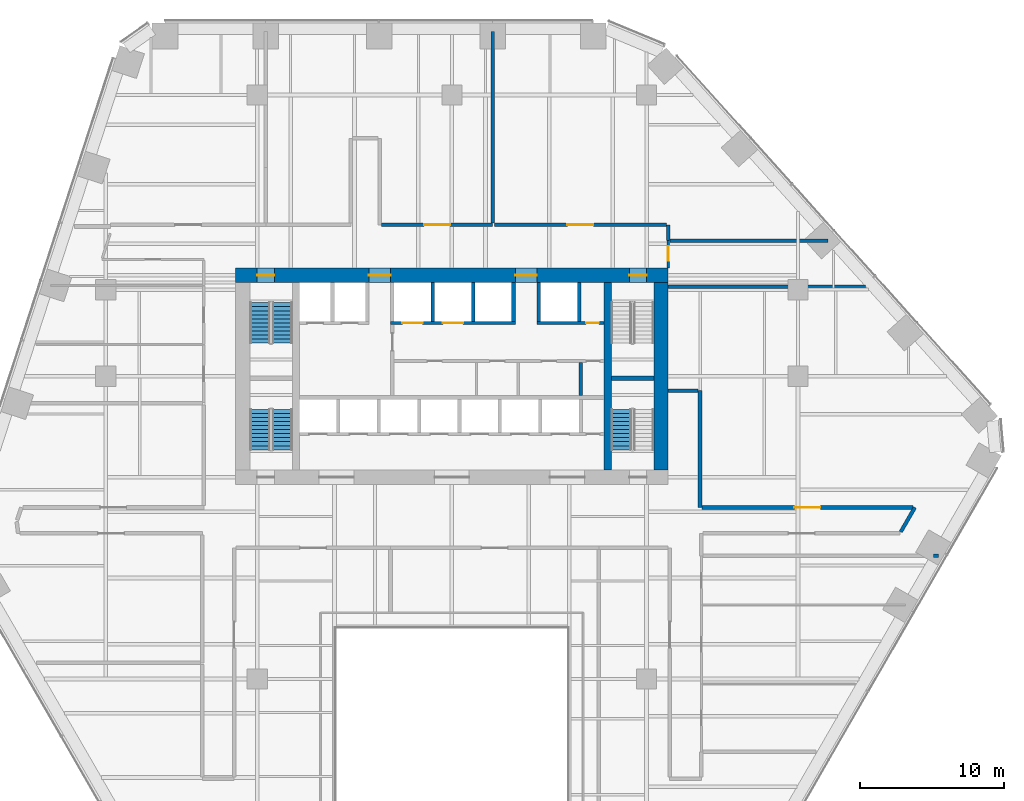
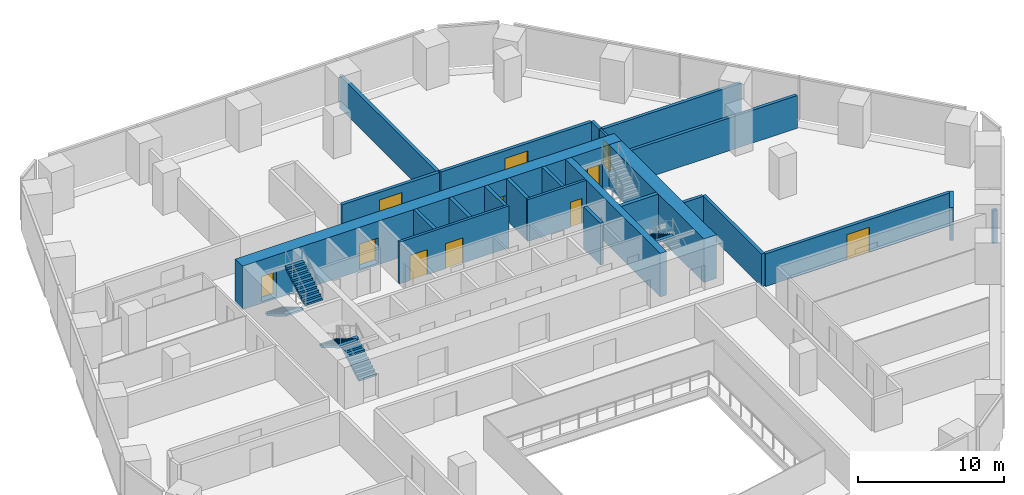
# One storey, part 16 of 20: 24 walls, 11 doors, 5 stair flights, 11 openings, 3 elements without a shape of their own.
"""IFC4 building model written with IfcOpenShell, lengths in metres."""

from ifc_helpers import new_model, si_unit, direction, frame, frame_2d, origin, place, context, subcontext, project, spatial, polyline, rectangle, outline, extrude, material, layer, layer_set, type_object, element, fill, aggregate, save


model = new_model("IFC4")

# Units and contexts
model_context = context("Model", 3, precision=1e-05, world=origin(), true_north=direction((0.0, 1.0)))
body_context = subcontext(model_context, "Body", "Model", "MODEL_VIEW")
ifc_project = project(units=[si_unit("LENGTHUNIT", "METRE"), si_unit("AREAUNIT", "SQUARE_METRE"), si_unit("VOLUMEUNIT", "CUBIC_METRE"), si_unit("PLANEANGLEUNIT", "RADIAN"), si_unit("MASSUNIT", "GRAM", prefix="KILO")], contexts=[model_context])

# Site, building, storey
site_placement = place(None, origin())
site = spatial("IfcSite", under=ifc_project, at=site_placement, CompositionType="ELEMENT")
building_placement = place(site_placement, origin())
building = spatial("IfcBuilding", under=site, at=building_placement, Name="Isthmus Gate Tower", CompositionType="ELEMENT")
storey_placement = place(building_placement, frame((0.0, 0.0, 61.550048828125)))
storey = spatial("IfcBuildingStorey", under=building, at=storey_placement, Name="L13", CompositionType="ELEMENT", Elevation=61.550048828125)

# Walls
ifc_material_1 = material(Name="Double-leaf acoustic stud wall, fire-rated", Category="gypsum")
ifc_layer_1 = layer(ifc_material_1, 0.25)
ifc_layer_set_1 = layer_set([ifc_layer_1], Name="ACOUSTIC WALL 250 60 MIN")
wall_type_1 = type_object("IfcWallType", Name="ACOUSTIC WALL 250 60 MIN", PredefinedType="PARTITIONING", material=ifc_layer_set_1)
wall_1_placement = place(storey_placement, frame((15.0, 18.0, 0.0), z_axis=(0.0, 0.0, 1.0), x_axis=(0.0, -1.0, 0.0)))
element("IfcWall", 1, at=wall_1_placement, inside=storey, type_object=wall_type_1, Name="L13 Acoustic Wall 250 60 Min", PredefinedType="PARTITIONING", context=body_context, shape_type="SweptSolid", body=[
    extrude(rectangle(XDim=1.10009765625, YDim=0.25, at=frame_2d((0.550048828125, 0.0))), origin(), (0.0, 0.0, 1.0), 2.7412109375),
])
wall_2_placement = place(storey_placement, frame((17.199951171875, 6.5, 0.0), z_axis=(0.0, 0.0, 1.0), x_axis=(0.0, -1.0, 0.0)))
element("IfcWall", 2, at=wall_2_placement, inside=storey, type_object=wall_type_1, Name="L13 Acoustic Wall 250 60 Min", PredefinedType="PARTITIONING", context=body_context, shape_type="SweptSolid", body=[
    extrude(rectangle(XDim=8.10009765625, YDim=0.25, at=frame_2d((4.050048828125, 0.0))), origin(), (0.0, 0.0, 1.0), 2.7412109375),
])
wall_3_placement = place(storey_placement, frame((32.10107421875, -1.60009765625, 0.0), z_axis=(0.0, 0.0, 1.0), x_axis=(-0.500331725305, -0.865833797362, 0.0)))
element("IfcWall", 3, at=wall_3_placement, inside=storey, type_object=wall_type_1, Name="L13 Acoustic Wall 250 60 Min", PredefinedType="PARTITIONING", context=body_context, shape_type="SweptSolid", body=[
    extrude(rectangle(XDim=1.953857421875, YDim=0.25, at=frame_2d((0.97705078125, 0.0))), origin(), (0.0, 0.0, 1.0), 2.7412109375),
])

# Wall, opening, door
wall_4_placement = place(storey_placement, frame((-4.875, 18.0, 0.0), z_axis=(0.0, 0.0, 1.0), x_axis=(1.0, 0.0, 0.0)))
wall_4 = element("IfcWall", 4, at=wall_4_placement, inside=storey, type_object=wall_type_1, Name="L13 Acoustic Wall 250 60 Min", PredefinedType="PARTITIONING", context=body_context, shape_type="SweptSolid", body=[
    extrude(rectangle(XDim=7.70703125, YDim=0.25, at=frame_2d((3.853515625, 0.0))), origin(), (0.0, 0.0, 1.0), 2.7412109375),
])
opening_1_placement = place(wall_4_placement, frame((2.95361328125, 0.0, 0.0)))
opening_1 = element("IfcOpeningElement", 5, at=opening_1_placement, cuts=wall_4, Name="Opening DT-T1C-02", PredefinedType="OPENING", context=body_context, shape_type="SweptSolid", body=[
    extrude(rectangle(XDim=1.800048828125, YDim=2.10009765625, at=frame_2d((0.89990234375, 1.050048828125))), frame((0.0, 0.135009765625, 0.0), z_axis=(0.0, -1.0, 0.0), x_axis=(1.0, 0.0, 0.0)), (0.0, 0.0, 1.0), 0.27001953125),
])
ifc_material_2 = material(Name="Solid core timber door leaf, fire-rated", Category="wood")
door_type_1 = type_object("IfcDoorType", Name="FIRE DOOR ACOUSTIC ROOM 1800 X 2100 60 MIN", OperationType="DOUBLE_DOOR_DOUBLE_SWING", PredefinedType="DOOR", material=ifc_material_2)
door_1_placement = place(opening_1_placement, origin())
door_1 = element("IfcDoor", 6, at=door_1_placement, inside=storey, type_object=door_type_1, Name="L13 room door", OperationType="DOUBLE_DOOR_DOUBLE_SWING", OverallHeight=2.10009765625, OverallWidth=1.800048828125, PredefinedType="DOOR", context=body_context, shape_type="SweptSolid", body=[
    extrude(rectangle(XDim=1.800048828125, YDim=2.10009765625, at=frame_2d((0.89990234375, 1.050048828125))), frame((0.0, 0.02490234375, 0.0), z_axis=(0.0, -1.0, 0.0), x_axis=(1.0, 0.0, 0.0)), (0.0, 0.0, 1.0), 0.050048828125),
])
fill(opening_1, door_1)

# Wall
wall_5_placement = place(storey_placement, frame((2.83203125, 18.125, 0.0), z_axis=(0.0, 0.0, 1.0), x_axis=(0.0, 1.0, 0.0)))
element("IfcWall", 7, at=wall_5_placement, inside=storey, type_object=wall_type_1, Name="L13 Acoustic Wall 250 60 Min", PredefinedType="PARTITIONING", context=body_context, shape_type="SweptSolid", body=[
    extrude(rectangle(XDim=13.27490234375, YDim=0.25, at=frame_2d((6.637451171875, 0.0))), origin(), (0.0, 0.0, 1.0), 2.7412109375),
])

# Wall, opening, door
wall_6_placement = place(storey_placement, frame((2.95703125, 18.0, 0.0), z_axis=(0.0, 0.0, 1.0), x_axis=(1.0, 0.0, 0.0)))
wall_6 = element("IfcWall", 8, at=wall_6_placement, inside=storey, type_object=wall_type_1, Name="L13 Acoustic Wall 250 60 Min", PredefinedType="PARTITIONING", context=body_context, shape_type="SweptSolid", body=[
    extrude(rectangle(XDim=11.91796875, YDim=0.25, at=frame_2d((5.958984375, 0.0))), origin(), (0.0, 0.0, 1.0), 2.7412109375),
])
opening_2_placement = place(wall_6_placement, frame((5.05908203125, 0.0, 0.0)))
opening_2 = element("IfcOpeningElement", 9, at=opening_2_placement, cuts=wall_6, Name="Opening DT-T1C-03", PredefinedType="OPENING", context=body_context, shape_type="SweptSolid", body=[
    extrude(rectangle(XDim=1.800048828125, YDim=2.10009765625, at=frame_2d((0.89990234375, 1.050048828125))), frame((0.0, 0.135009765625, 0.0), z_axis=(0.0, -1.0, 0.0), x_axis=(1.0, 0.0, 0.0)), (0.0, 0.0, 1.0), 0.27001953125),
])
door_2_placement = place(opening_2_placement, origin())
door_2 = element("IfcDoor", 10, at=door_2_placement, inside=storey, type_object=door_type_1, Name="L13 room door", OperationType="DOUBLE_DOOR_DOUBLE_SWING", OverallHeight=2.10009765625, OverallWidth=1.800048828125, PredefinedType="DOOR", context=body_context, shape_type="SweptSolid", body=[
    extrude(rectangle(XDim=1.800048828125, YDim=2.10009765625, at=frame_2d((0.89990234375, 1.050048828125))), frame((0.0, 0.02490234375, 0.0), z_axis=(0.0, -1.0, 0.0), x_axis=(1.0, 0.0, 0.0)), (0.0, 0.0, 1.0), 0.050048828125),
])
fill(opening_2, door_2)

# Walls
wall_7_placement = place(storey_placement, frame((15.125, 16.89990234375, 0.0), z_axis=(0.0, 0.0, 1.0), x_axis=(1.0, 0.0, 0.0)))
element("IfcWall", 11, at=wall_7_placement, inside=storey, type_object=wall_type_1, Name="L13 Acoustic Wall 250 60 Min", PredefinedType="PARTITIONING", context=body_context, shape_type="SweptSolid", body=[
    extrude(rectangle(XDim=10.969970703125, YDim=0.25, at=frame_2d((5.48486328125, 0.0))), origin(), (0.0, 0.0, 1.0), 2.7412109375),
])
wall_8_placement = place(storey_placement, frame((15.0, 13.708984375, 0.0), z_axis=(0.0, 0.0, 1.0), x_axis=(1.0, 0.0, 0.0)))
element("IfcWall", 12, at=wall_8_placement, inside=storey, type_object=wall_type_1, Name="L13 Acoustic Wall 250 60 Min", PredefinedType="PARTITIONING", context=body_context, shape_type="SweptSolid", body=[
    extrude(rectangle(XDim=13.66796875, YDim=0.25, at=frame_2d((6.833984375, 0.0))), origin(), (0.0, 0.0, 1.0), 2.7412109375),
])
wall_9_placement = place(storey_placement, frame((15.0, 6.5, 0.0), z_axis=(0.0, 0.0, 1.0), x_axis=(1.0, 0.0, 0.0)))
element("IfcWall", 13, at=wall_9_placement, inside=storey, type_object=wall_type_1, Name="L13 Acoustic Wall 250 60 Min", PredefinedType="PARTITIONING", context=body_context, shape_type="SweptSolid", body=[
    extrude(rectangle(XDim=2.074951171875, YDim=0.25, at=frame_2d((1.03759765625, 0.0))), origin(), (0.0, 0.0, 1.0), 2.7412109375),
])

# Wall, opening, door
wall_10_placement = place(storey_placement, frame((17.324951171875, -1.60009765625, 0.0), z_axis=(0.0, 0.0, 1.0), x_axis=(1.0, 0.0, 0.0)))
wall_10 = element("IfcWall", 14, at=wall_10_placement, inside=storey, type_object=wall_type_1, Name="L13 Acoustic Wall 250 60 Min", PredefinedType="PARTITIONING", context=body_context, shape_type="SweptSolid", body=[
    extrude(rectangle(XDim=14.631591796875, YDim=0.25, at=frame_2d((7.31591796875, 0.0))), origin(), (0.0, 0.0, 1.0), 2.7412109375),
])
opening_3_placement = place(wall_10_placement, frame((6.425537109375, 0.0, 0.0)))
opening_3 = element("IfcOpeningElement", 15, at=opening_3_placement, cuts=wall_10, Name="Opening DT-T1C-08", PredefinedType="OPENING", context=body_context, shape_type="SweptSolid", body=[
    extrude(rectangle(XDim=1.800048828125, YDim=2.10009765625, at=frame_2d((0.89990234375, 1.050048828125))), frame((0.0, 0.135009765625, 0.0), z_axis=(0.0, -1.0, 0.0), x_axis=(1.0, 0.0, 0.0)), (0.0, 0.0, 1.0), 0.27001953125),
])
door_3_placement = place(opening_3_placement, origin())
door_3 = element("IfcDoor", 16, at=door_3_placement, inside=storey, type_object=door_type_1, Name="L13 room door", OperationType="DOUBLE_DOOR_DOUBLE_SWING", OverallHeight=2.10009765625, OverallWidth=1.800048828125, PredefinedType="DOOR", context=body_context, shape_type="SweptSolid", body=[
    extrude(rectangle(XDim=1.800048828125, YDim=2.10009765625, at=frame_2d((0.89990234375, 1.050048828125))), frame((0.0, 0.02490234375, 0.0), z_axis=(0.0, -1.0, 0.0), x_axis=(1.0, 0.0, 0.0)), (0.0, 0.0, 1.0), 0.050048828125),
])
fill(opening_3, door_3)

# Wall
wall_11_placement = place(storey_placement, frame((33.39794921875, -4.949951171875, 0.0), z_axis=(0.0, 0.0, 1.0), x_axis=(1.0, 0.0, 0.0)))
element("IfcWall", 17, at=wall_11_placement, inside=storey, type_object=wall_type_1, Name="L13 Acoustic Wall 250 60 Min", PredefinedType="PARTITIONING", context=body_context, shape_type="SweptSolid", body=[
    extrude(rectangle(XDim=0.3349609375, YDim=0.25, at=frame_2d((0.16748046875, 0.0))), origin(), (0.0, 0.0, 1.0), 2.7412109375),
])

# Wall, opening, door
ifc_material_3 = material(Name="Gypsum board on steel studs, fire-rated", Category="steel")
ifc_layer_2 = layer(ifc_material_3, 0.14990234375)
ifc_layer_set_2 = layer_set([ifc_layer_2], Name="CORRIDOR WALL 150 60 MIN")
wall_type_2 = type_object("IfcWallType", Name="CORRIDOR WALL 150 60 MIN", PredefinedType="PARTITIONING", material=ifc_layer_set_2)
wall_12_placement = place(storey_placement, frame((15.0, 16.89990234375, 0.0), z_axis=(0.0, 0.0, 1.0), x_axis=(0.0, -1.0, 0.0)))
wall_12 = element("IfcWall", 18, at=wall_12_placement, inside=storey, type_object=wall_type_2, Name="L13 Corridor Wall 150 60 Min", PredefinedType="PARTITIONING", context=body_context, shape_type="SweptSolid", body=[
    extrude(rectangle(XDim=1.89990234375, YDim=0.14990234375, at=frame_2d((0.949951171875, 0.0))), origin(), (0.0, 0.0, 1.0), 2.7412109375),
])
opening_4_placement = place(wall_12_placement, frame((0.402587890625, 0.0, 0.0)))
opening_4 = element("IfcOpeningElement", 19, at=opening_4_placement, cuts=wall_12, Name="Opening DT-T1C-05", PredefinedType="OPENING", context=body_context, shape_type="SweptSolid", body=[
    extrude(rectangle(XDim=1.0, YDim=2.10009765625, at=frame_2d((0.5, 1.050048828125))), frame((0.0, 0.0849609375, 0.0), z_axis=(0.0, -1.0, 0.0), x_axis=(1.0, 0.0, 0.0)), (0.0, 0.0, 1.0), 0.169921875),
])
ifc_material_4 = material(Name="Solid core timber door leaf, fire-rated", Category="wood")
door_type_2 = type_object("IfcDoorType", Name="FIRE DOOR ROOM 1000 X 2100 60 MIN", OperationType="SINGLE_SWING_LEFT", PredefinedType="DOOR", material=ifc_material_4)
door_4_placement = place(opening_4_placement, origin())
door_4 = element("IfcDoor", 20, at=door_4_placement, inside=storey, type_object=door_type_2, Name="L13 room door", OperationType="SINGLE_SWING_LEFT", OverallHeight=2.10009765625, OverallWidth=1.0, PredefinedType="DOOR", context=body_context, shape_type="SweptSolid", body=[
    extrude(rectangle(XDim=1.0, YDim=2.10009765625, at=frame_2d((0.5, 1.050048828125))), frame((0.0, 0.02490234375, 0.0), z_axis=(0.0, -1.0, 0.0), x_axis=(1.0, 0.0, 0.0)), (0.0, 0.0, 1.0), 0.050048828125),
])
fill(opening_4, door_4)

# Wall
ifc_material_5 = material(Name="Concrete f'c 70 MPa", Category="concrete")
ifc_layer_3 = layer(ifc_material_5, 0.5)
ifc_layer_set_3 = layer_set([ifc_layer_3], Name="RC CORE SPINE WALL 500 F'C 70")
wall_type_3 = type_object("IfcWallType", Name="RC CORE SPINE WALL 500 F'C 70", PredefinedType="SOLIDWALL", material=ifc_layer_set_3)
wall_13_placement = place(storey_placement, frame((10.800048828125, 1.0, -0.150146484375), z_axis=(0.0, 0.0, 1.0), x_axis=(0.0, 1.0, 0.0)))
element("IfcWall", 21, at=wall_13_placement, inside=storey, type_object=wall_type_3, Name="str-corewall-L13-SPE", PredefinedType="SOLIDWALL", context=body_context, shape_type="SweptSolid", body=[
    extrude(rectangle(XDim=13.0, YDim=0.5, at=frame_2d((6.5, 0.0))), origin(), (0.0, 0.0, 1.0), 3.650146484375),
])

# Wall, openings, doors
ifc_material_6 = material(Name="Concrete f'c 70 MPa", Category="concrete")
ifc_layer_4 = layer(ifc_material_6, 1.0)
ifc_layer_set_4 = layer_set([ifc_layer_4], Name="RC CORE WALL 1000 F'C 70")
wall_type_4 = type_object("IfcWallType", Name="RC CORE WALL 1000 F'C 70", PredefinedType="SOLIDWALL", material=ifc_layer_set_4)
wall_14_placement = place(storey_placement, frame((-15.0, 14.5, -0.150146484375), z_axis=(0.0, 0.0, 1.0), x_axis=(1.0, 0.0, 0.0)))
wall_14 = element("IfcWall", 22, at=wall_14_placement, inside=storey, type_object=wall_type_4, Name="str-corewall-L13-N", PredefinedType="SOLIDWALL", context=body_context, shape_type="SweptSolid", body=[
    extrude(rectangle(XDim=30.0, YDim=1.0, at=frame_2d((15.0, 0.0))), origin(), (0.0, 0.0, 1.0), 3.650146484375),
])
opening_5_placement = place(wall_14_placement, frame((9.25, 0.0, 0.14990234375)))
opening_5 = element("IfcOpeningElement", 23, at=opening_5_placement, cuts=wall_14, Name="Opening DC-A02-11", PredefinedType="OPENING", context=body_context, shape_type="SweptSolid", body=[
    extrude(rectangle(XDim=1.5, YDim=2.10009765625, at=frame_2d((0.75, 1.050048828125))), frame((0.0, 0.510009765625, 0.0), z_axis=(0.0, -1.0, 0.0), x_axis=(1.0, 0.0, 0.0)), (0.0, 0.0, 1.0), 1.02001953125),
])
opening_6_placement = place(wall_14_placement, frame((19.39990234375, 0.0, 0.14990234375)))
opening_6 = element("IfcOpeningElement", 24, at=opening_6_placement, cuts=wall_14, Name="Opening DC-A02-12", PredefinedType="OPENING", context=body_context, shape_type="SweptSolid", body=[
    extrude(rectangle(XDim=1.5, YDim=2.10009765625, at=frame_2d((0.75, 1.050048828125))), frame((0.0, 0.510009765625, 0.0), z_axis=(0.0, -1.0, 0.0), x_axis=(1.0, 0.0, 0.0)), (0.0, 0.0, 1.0), 1.02001953125),
])
opening_7_placement = place(wall_14_placement, frame((1.5, 0.0, 0.14990234375)))
opening_7 = element("IfcOpeningElement", 25, at=opening_7_placement, cuts=wall_14, Name="Opening DC-A02-13", PredefinedType="OPENING", context=body_context, shape_type="SweptSolid", body=[
    extrude(rectangle(XDim=1.199951171875, YDim=2.10009765625, at=frame_2d((0.60009765625, 1.050048828125))), frame((0.0, 0.510009765625, 0.0), z_axis=(0.0, -1.0, 0.0), x_axis=(1.0, 0.0, 0.0)), (0.0, 0.0, 1.0), 1.02001953125),
])
opening_8_placement = place(wall_14_placement, frame((27.300048828125, 0.0, 0.14990234375)))
opening_8 = element("IfcOpeningElement", 26, at=opening_8_placement, cuts=wall_14, Name="Opening DC-A02-14", PredefinedType="OPENING", context=body_context, shape_type="SweptSolid", body=[
    extrude(rectangle(XDim=1.199951171875, YDim=2.10009765625, at=frame_2d((0.60009765625, 1.050048828125))), frame((0.0, 0.510009765625, 0.0), z_axis=(0.0, -1.0, 0.0), x_axis=(1.0, 0.0, 0.0)), (0.0, 0.0, 1.0), 1.02001953125),
])
ifc_material_7 = material(Name="Steel door leaf, fire-rated", Category="steel")
door_type_3 = type_object("IfcDoorType", Name="LOBBY FIRE DOOR 1500 X 2100 60 MIN", OperationType="DOUBLE_DOOR_SINGLE_SWING", PredefinedType="DOOR", material=ifc_material_7)
door_5_placement = place(opening_6_placement, origin())
door_5 = element("IfcDoor", 27, at=door_5_placement, inside=storey, type_object=door_type_3, Name="Lobby Door PN-E", OperationType="DOUBLE_DOOR_SINGLE_SWING", OverallHeight=2.10009765625, OverallWidth=1.5, PredefinedType="DOOR", context=body_context, shape_type="SweptSolid", body=[
    extrude(rectangle(XDim=1.5, YDim=2.10009765625, at=frame_2d((0.75, 1.050048828125))), frame((0.0, 0.02490234375, 0.0), z_axis=(0.0, -1.0, 0.0), x_axis=(1.0, 0.0, 0.0)), (0.0, 0.0, 1.0), 0.050048828125),
])
fill(opening_6, door_5)
ifc_material_8 = material(Name="Steel door leaf, fire-rated", Category="steel")
door_type_4 = type_object("IfcDoorType", Name="LOBBY FIRE DOOR 1500 X 2100 90 MIN", OperationType="DOUBLE_DOOR_SINGLE_SWING", PredefinedType="DOOR", material=ifc_material_8)
door_6_placement = place(opening_5_placement, origin())
door_6 = element("IfcDoor", 28, at=door_6_placement, inside=storey, type_object=door_type_4, Name="Lobby Door PN-W", OperationType="DOUBLE_DOOR_SINGLE_SWING", OverallHeight=2.10009765625, OverallWidth=1.5, PredefinedType="DOOR", context=body_context, shape_type="SweptSolid", body=[
    extrude(rectangle(XDim=1.5, YDim=2.10009765625, at=frame_2d((0.75, 1.050048828125))), frame((0.0, 0.02490234375, 0.0), z_axis=(0.0, -1.0, 0.0), x_axis=(1.0, 0.0, 0.0)), (0.0, 0.0, 1.0), 0.050048828125),
])
fill(opening_5, door_6)
ifc_material_9 = material(Name="Steel door leaf, fire-rated", Category="steel")
door_type_5 = type_object("IfcDoorType", Name="STAIR FIRE DOOR 1200 X 2100 90 MIN", OperationType="SINGLE_SWING_LEFT", PredefinedType="DOOR", material=ifc_material_9)
door_7_placement = place(opening_7_placement, origin())
door_7 = element("IfcDoor", 29, at=door_7_placement, inside=storey, type_object=door_type_5, Name="Exit Stair 1 Door", OperationType="SINGLE_SWING_RIGHT", OverallHeight=2.10009765625, OverallWidth=1.199951171875, PredefinedType="DOOR", context=body_context, shape_type="SweptSolid", body=[
    extrude(rectangle(XDim=1.199951171875, YDim=2.10009765625, at=frame_2d((0.60009765625, 1.050048828125))), frame((0.0, 0.02490234375, 0.0), z_axis=(0.0, -1.0, 0.0), x_axis=(1.0, 0.0, 0.0)), (0.0, 0.0, 1.0), 0.050048828125),
])
fill(opening_7, door_7)
door_8_placement = place(opening_8_placement, origin())
door_8 = element("IfcDoor", 30, at=door_8_placement, inside=storey, type_object=door_type_5, Name="Exit Stair 2 Door", OperationType="SINGLE_SWING_LEFT", OverallHeight=2.10009765625, OverallWidth=1.199951171875, PredefinedType="DOOR", context=body_context, shape_type="SweptSolid", body=[
    extrude(rectangle(XDim=1.199951171875, YDim=2.10009765625, at=frame_2d((0.60009765625, 1.050048828125))), frame((0.0, 0.02490234375, 0.0), z_axis=(0.0, -1.0, 0.0), x_axis=(1.0, 0.0, 0.0)), (0.0, 0.0, 1.0), 0.050048828125),
])
fill(opening_8, door_8)

# Wall
wall_15_placement = place(storey_placement, frame((14.5, 1.0, -0.150146484375), z_axis=(0.0, 0.0, 1.0), x_axis=(0.0, 1.0, 0.0)))
element("IfcWall", 31, at=wall_15_placement, inside=storey, type_object=wall_type_4, Name="str-corewall-L13-E", PredefinedType="SOLIDWALL", context=body_context, shape_type="SweptSolid", body=[
    extrude(rectangle(XDim=13.0, YDim=1.0, at=frame_2d((6.5, 0.0))), origin(), (0.0, 0.0, 1.0), 3.650146484375),
])

# Wall, openings, doors
ifc_material_10 = material(Name="Fire-rated blockwork masonry, 15 MPa", Category="masonry")
ifc_layer_5 = layer(ifc_material_10, 0.199951171875)
ifc_layer_set_5 = layer_set([ifc_layer_5], Name="SHAFT FRONT WALL 200 120 MIN")
wall_type_5 = type_object("IfcWallType", Name="SHAFT FRONT WALL 200 120 MIN", PredefinedType="PARTITIONING", material=ifc_layer_set_5)
wall_16_placement = place(storey_placement, frame((-4.25, 11.199951171875, 0.0), z_axis=(0.0, 0.0, 1.0), x_axis=(1.0, 0.0, 0.0)))
wall_16 = element("IfcWall", 32, at=wall_16_placement, inside=storey, type_object=wall_type_5, Name="L13 SHAFT FRONT WALL 200 120 MIN", PredefinedType="PARTITIONING", context=body_context, shape_type="SweptSolid", body=[
    extrude(rectangle(XDim=8.64990234375, YDim=0.199951171875, at=frame_2d((4.324951171875, 0.0))), origin(), (0.0, 0.0, 1.0), 3.5),
])
opening_9_placement = place(wall_16_placement, frame((0.824951171875, 0.0, 0.0)))
opening_9 = element("IfcOpeningElement", 33, at=opening_9_placement, cuts=wall_16, Name="Opening LD-LV1", PredefinedType="OPENING", context=body_context, shape_type="SweptSolid", body=[
    extrude(rectangle(XDim=1.39990234375, YDim=2.10009765625, at=frame_2d((0.699951171875, 1.050048828125))), frame((0.0, 0.10986328125, 0.0), z_axis=(0.0, -1.0, 0.0), x_axis=(1.0, 0.0, 0.0)), (0.0, 0.0, 1.0), 0.219970703125),
])
opening_10_placement = place(wall_16_placement, frame((3.625, 0.0, 0.0)))
opening_10 = element("IfcOpeningElement", 34, at=opening_10_placement, cuts=wall_16, Name="Opening LD-LV2", PredefinedType="OPENING", context=body_context, shape_type="SweptSolid", body=[
    extrude(rectangle(XDim=1.39990234375, YDim=2.10009765625, at=frame_2d((0.699951171875, 1.050048828125))), frame((0.0, 0.10986328125, 0.0), z_axis=(0.0, -1.0, 0.0), x_axis=(1.0, 0.0, 0.0)), (0.0, 0.0, 1.0), 0.219970703125),
])
ifc_material_11 = material(Name="Stainless steel sliding leaf", Category="steel")
door_type_6 = type_object("IfcDoorType", Name="LIFT LANDING FIRE DOOR 1400 X 2100 90 MIN", OperationType="DOUBLE_DOOR_SLIDING", PredefinedType="DOOR", material=ifc_material_11)
door_9_placement = place(opening_9_placement, origin())
door_9 = element("IfcDoor", 35, at=door_9_placement, inside=storey, type_object=door_type_6, Name="Lift Landing Door LV1", OperationType="DOUBLE_DOOR_SLIDING", OverallHeight=2.10009765625, OverallWidth=1.39990234375, PredefinedType="DOOR", context=body_context, shape_type="SweptSolid", body=[
    extrude(rectangle(XDim=1.39990234375, YDim=2.10009765625, at=frame_2d((0.699951171875, 1.050048828125))), frame((0.0, 0.02490234375, 0.0), z_axis=(0.0, -1.0, 0.0), x_axis=(1.0, 0.0, 0.0)), (0.0, 0.0, 1.0), 0.050048828125),
])
fill(opening_9, door_9)
door_10_placement = place(opening_10_placement, origin())
door_10 = element("IfcDoor", 36, at=door_10_placement, inside=storey, type_object=door_type_6, Name="Lift Landing Door LV2", OperationType="DOUBLE_DOOR_SLIDING", OverallHeight=2.10009765625, OverallWidth=1.39990234375, PredefinedType="DOOR", context=body_context, shape_type="SweptSolid", body=[
    extrude(rectangle(XDim=1.39990234375, YDim=2.10009765625, at=frame_2d((0.699951171875, 1.050048828125))), frame((0.0, 0.02490234375, 0.0), z_axis=(0.0, -1.0, 0.0), x_axis=(1.0, 0.0, 0.0)), (0.0, 0.0, 1.0), 0.050048828125),
])
fill(opening_10, door_10)

# Wall, opening, door
wall_17_placement = place(storey_placement, frame((5.89990234375, 11.199951171875, 0.0), z_axis=(0.0, 0.0, 1.0), x_axis=(1.0, 0.0, 0.0)))
wall_17 = element("IfcWall", 37, at=wall_17_placement, inside=storey, type_object=wall_type_5, Name="L13 SHAFT FRONT WALL 200 120 MIN", PredefinedType="PARTITIONING", context=body_context, shape_type="SweptSolid", body=[
    extrude(rectangle(XDim=4.650146484375, YDim=0.199951171875, at=frame_2d((2.3251953125, 0.0))), origin(), (0.0, 0.0, 1.0), 3.5),
])
opening_11_placement = place(wall_17_placement, frame((3.39990234375, 0.0, 0.0)))
opening_11 = element("IfcOpeningElement", 38, at=opening_11_placement, cuts=wall_17, Name="Opening DC-A02-07", PredefinedType="OPENING", context=body_context, shape_type="SweptSolid", body=[
    extrude(rectangle(XDim=0.89990234375, YDim=2.10009765625, at=frame_2d((0.449951171875, 1.050048828125))), frame((0.0, 0.10986328125, 0.0), z_axis=(0.0, -1.0, 0.0), x_axis=(1.0, 0.0, 0.0)), (0.0, 0.0, 1.0), 0.219970703125),
])
ifc_material_12 = material(Name="Steel door leaf, fire-rated", Category="steel")
door_type_7 = type_object("IfcDoorType", Name="RISER FIRE DOOR 900 X 2100 90 MIN", OperationType="SINGLE_SWING_LEFT", PredefinedType="DOOR", material=ifc_material_12)
door_11_placement = place(opening_11_placement, origin())
door_11 = element("IfcDoor", 39, at=door_11_placement, inside=storey, type_object=door_type_7, Name="Riser Door", OperationType="SINGLE_SWING_LEFT", OverallHeight=2.10009765625, OverallWidth=0.89990234375, PredefinedType="DOOR", context=body_context, shape_type="SweptSolid", body=[
    extrude(rectangle(XDim=0.89990234375, YDim=2.10009765625, at=frame_2d((0.449951171875, 1.050048828125))), frame((0.0, 0.02490234375, 0.0), z_axis=(0.0, -1.0, 0.0), x_axis=(1.0, 0.0, 0.0)), (0.0, 0.0, 1.0), 0.050048828125),
])
fill(opening_11, door_11)

# Walls
ifc_material_13 = material(Name="Fire-rated blockwork masonry, 15 MPa", Category="masonry")
ifc_layer_6 = layer(ifc_material_13, 0.25)
ifc_layer_set_6 = layer_set([ifc_layer_6], Name="SHAFT WALL 250 120 MIN")
wall_type_6 = type_object("IfcWallType", Name="SHAFT WALL 250 120 MIN", PredefinedType="PARTITIONING", material=ifc_layer_set_6)
wall_18_placement = place(storey_placement, frame((8.925048828125, 6.14990234375, 0.0), z_axis=(0.0, 0.0, 1.0), x_axis=(0.0, 1.0, 0.0)))
element("IfcWall", 40, at=wall_18_placement, inside=storey, type_object=wall_type_6, Name="L13 SHAFT WALL 250 120 MIN", PredefinedType="PARTITIONING", context=body_context, shape_type="SweptSolid", body=[
    extrude(rectangle(XDim=2.300048828125, YDim=0.25, at=frame_2d((1.14990234375, 0.0))), origin(), (0.0, 0.0, 1.0), 3.5),
])
for number, where, z_axis, x_axis, name in (
    (41, (-1.324951171875, 11.300048828125, 0.0), (0.0, 0.0, 1.0), (0.0, 1.0, 0.0), "L13 SHAFT WALL 250 120 MIN"),
    (42, (1.47509765625, 11.300048828125, 0.0), (0.0, 0.0, 1.0), (0.0, 1.0, 0.0), "L13 SHAFT WALL 250 120 MIN"),
    (43, (4.27490234375, 11.300048828125, 0.0), (0.0, 0.0, 1.0), (0.0, 1.0, 0.0), "L13 SHAFT WALL 250 120 MIN"),
    (44, (6.02490234375, 11.300048828125, 0.0), (0.0, 0.0, 1.0), (0.0, 1.0, 0.0), "L13 SHAFT WALL 250 120 MIN"),
    (45, (8.824951171875, 11.300048828125, 0.0), (0.0, 0.0, 1.0), (0.0, 1.0, 0.0), "L13 SHAFT WALL 250 120 MIN"),
):
    element("IfcWall", number, at=place(storey_placement, frame(where, z_axis=z_axis, x_axis=x_axis)), inside=storey, type_object=wall_type_6, Name=name, PredefinedType="PARTITIONING", context=body_context, shape_type="SweptSolid", body=[
        extrude(rectangle(XDim=2.699951171875, YDim=0.25, at=frame_2d((1.35009765625, 0.0))), origin(), (0.0, 0.0, 1.0), 3.5),
    ])
ifc_material_14 = material(Name="Concrete f'c 40 MPa", Category="concrete")
ifc_layer_7 = layer(ifc_material_14, 0.300048828125)
ifc_layer_set_7 = layer_set([ifc_layer_7], Name="STAIR ENCLOSURE WALL 300 180 MIN")
wall_type_7 = type_object("IfcWallType", Name="STAIR ENCLOSURE WALL 300 180 MIN", PredefinedType="SOLIDWALL", material=ifc_layer_set_7)
wall_19_placement = place(storey_placement, frame((11.050048828125, 7.35009765625, -0.150146484375), z_axis=(0.0, 0.0, 1.0), x_axis=(1.0, 0.0, 0.0)))
element("IfcWall", 46, at=wall_19_placement, inside=storey, type_object=wall_type_7, Name="L13 STAIR ENCLOSURE WALL 300 180 MIN", PredefinedType="SOLIDWALL", context=body_context, shape_type="SweptSolid", body=[
    extrude(rectangle(XDim=2.949951171875, YDim=0.300048828125, at=frame_2d((1.47509765625, 0.0))), origin(), (0.0, 0.0, 1.0), 3.650146484375),
])

# Stair, stair flights
ifc_material_15 = material(Name="Concrete f'c 40 MPa", Category="concrete")
stair_type = type_object("IfcStairType", Name="CORE STAIR 22 RISERS", PredefinedType="HALF_TURN_STAIR", material=ifc_material_15)
stair_1_placement = place(storey_placement, origin())
stair_1 = element("IfcStair", 47, at=stair_1_placement, inside=storey, type_object=stair_type, Name="L13 Exit Stair 1", PredefinedType="HALF_TURN_STAIR")
ifc_material_16 = material(Name="Concrete f'c 40 MPa", Category="concrete")
stair_flight_type = type_object("IfcStairFlightType", Name="STAIR FLIGHT RC 1400", PredefinedType="STRAIGHT", material=ifc_material_16)
stair_flight_1_placement = place(storey_placement, frame((-13.300048828125, 12.60009765625, 0.0), z_axis=(0.0, 0.0, 1.0), x_axis=(0.0, -1.0, 0.0)))
stair_flight_1 = element("IfcStairFlight", 48, at=stair_flight_1_placement, type_object=stair_flight_type, Name="ST1 flight 1", NumberOfRisers=11, NumberOfTreads=10, PredefinedType="STRAIGHT", RiserHeight=0.165909091, TreadLength=0.28, context=body_context, shape_type="SweptSolid", body=[
    extrude(outline(polyline([(0.0, 0.0), (0.0, 0.166015625), (0.280029296875, 0.166015625), (0.280029296875, 0.331787109375), (0.56005859375, 0.331787109375), (0.56005859375, 0.497802734375), (0.840087890625, 0.497802734375), (0.840087890625, 0.66357421875), (1.1201171875, 0.66357421875), (1.1201171875, 0.82958984375), (1.39990234375, 0.82958984375), (1.39990234375, 0.995361328125), (1.679931640625, 0.995361328125), (1.679931640625, 1.161376953125), (1.9599609375, 1.161376953125), (1.9599609375, 1.327392578125), (2.239990234375, 1.327392578125), (2.239990234375, 1.4931640625), (2.52001953125, 1.4931640625), (2.52001953125, 1.6591796875), (2.800048828125, 1.6591796875), (2.800048828125, 1.824951171875), (2.800048828125, 1.48486328125), (0.2939453125, 0.0), (0.0, 0.0)])), frame((0.0, 0.699951171875, 0.0), z_axis=(0.0, -1.0, 0.0), x_axis=(1.0, 0.0, 0.0)), (0.0, 0.0, 1.0), 1.39990234375),
])
stair_flight_2_placement = place(storey_placement, frame((-11.75, 9.800048828125, 1.824951171875), z_axis=(0.0, 0.0, 1.0), x_axis=(0.0, 1.0, 0.0)))
stair_flight_2 = element("IfcStairFlight", 49, at=stair_flight_2_placement, type_object=stair_flight_type, Name="ST1 flight 2", NumberOfRisers=11, NumberOfTreads=10, PredefinedType="STRAIGHT", RiserHeight=0.165909091, TreadLength=0.28, context=body_context, shape_type="SweptSolid", body=[
    extrude(outline(polyline([(0.0, 0.0), (0.0, 0.166015625), (0.280029296875, 0.166015625), (0.280029296875, 0.331787109375), (0.56005859375, 0.331787109375), (0.56005859375, 0.497802734375), (0.840087890625, 0.497802734375), (0.840087890625, 0.66357421875), (1.1201171875, 0.66357421875), (1.1201171875, 0.82958984375), (1.39990234375, 0.82958984375), (1.39990234375, 0.995361328125), (1.679931640625, 0.995361328125), (1.679931640625, 1.161376953125), (1.9599609375, 1.161376953125), (1.9599609375, 1.327392578125), (2.239990234375, 1.327392578125), (2.239990234375, 1.4931640625), (2.52001953125, 1.4931640625), (2.52001953125, 1.6591796875), (2.800048828125, 1.6591796875), (2.800048828125, 1.824951171875), (2.800048828125, 1.48486328125), (0.2939453125, 0.0), (0.0, 0.0)])), frame((0.0, 0.699951171875, 0.0), z_axis=(0.0, -1.0, 0.0), x_axis=(1.0, 0.0, 0.0)), (0.0, 0.0, 1.0), 1.39990234375),
])
aggregate(stair_1, [stair_flight_1, stair_flight_2])

stair_2_placement = place(storey_placement, origin())
stair_2 = element("IfcStair", 50, at=stair_2_placement, inside=storey, type_object=stair_type, Name="L13 Exit Stair 7", PredefinedType="HALF_TURN_STAIR")
stair_flight_3_placement = place(storey_placement, frame((-11.75, 2.39990234375, 0.0), z_axis=(0.0, 0.0, 1.0), x_axis=(0.0, 1.0, 0.0)))
stair_flight_3 = element("IfcStairFlight", 51, at=stair_flight_3_placement, type_object=stair_flight_type, Name="ST7 flight 1", NumberOfRisers=11, NumberOfTreads=10, PredefinedType="STRAIGHT", RiserHeight=0.165909091, TreadLength=0.28, context=body_context, shape_type="SweptSolid", body=[
    extrude(outline(polyline([(0.0, 0.0), (0.0, 0.166015625), (0.280029296875, 0.166015625), (0.280029296875, 0.331787109375), (0.56005859375, 0.331787109375), (0.56005859375, 0.497802734375), (0.840087890625, 0.497802734375), (0.840087890625, 0.66357421875), (1.1201171875, 0.66357421875), (1.1201171875, 0.82958984375), (1.39990234375, 0.82958984375), (1.39990234375, 0.995361328125), (1.679931640625, 0.995361328125), (1.679931640625, 1.161376953125), (1.9599609375, 1.161376953125), (1.9599609375, 1.327392578125), (2.239990234375, 1.327392578125), (2.239990234375, 1.4931640625), (2.52001953125, 1.4931640625), (2.52001953125, 1.6591796875), (2.800048828125, 1.6591796875), (2.800048828125, 1.824951171875), (2.800048828125, 1.48486328125), (0.2939453125, 0.0), (0.0, 0.0)])), frame((0.0, 0.699951171875, 0.0), z_axis=(0.0, -1.0, 0.0), x_axis=(1.0, 0.0, 0.0)), (0.0, 0.0, 1.0), 1.39990234375),
])
stair_flight_4_placement = place(storey_placement, frame((-13.300048828125, 5.199951171875, 1.824951171875), z_axis=(0.0, 0.0, 1.0), x_axis=(0.0, -1.0, 0.0)))
stair_flight_4 = element("IfcStairFlight", 52, at=stair_flight_4_placement, type_object=stair_flight_type, Name="ST7 flight 2", NumberOfRisers=11, NumberOfTreads=10, PredefinedType="STRAIGHT", RiserHeight=0.165909091, TreadLength=0.28, context=body_context, shape_type="SweptSolid", body=[
    extrude(outline(polyline([(0.0, 0.0), (0.0, 0.166015625), (0.280029296875, 0.166015625), (0.280029296875, 0.331787109375), (0.56005859375, 0.331787109375), (0.56005859375, 0.497802734375), (0.840087890625, 0.497802734375), (0.840087890625, 0.66357421875), (1.1201171875, 0.66357421875), (1.1201171875, 0.82958984375), (1.39990234375, 0.82958984375), (1.39990234375, 0.995361328125), (1.679931640625, 0.995361328125), (1.679931640625, 1.161376953125), (1.9599609375, 1.161376953125), (1.9599609375, 1.327392578125), (2.239990234375, 1.327392578125), (2.239990234375, 1.4931640625), (2.52001953125, 1.4931640625), (2.52001953125, 1.6591796875), (2.800048828125, 1.6591796875), (2.800048828125, 1.824951171875), (2.800048828125, 1.48486328125), (0.2939453125, 0.0), (0.0, 0.0)])), frame((0.0, 0.699951171875, 0.0), z_axis=(0.0, -1.0, 0.0), x_axis=(1.0, 0.0, 0.0)), (0.0, 0.0, 1.0), 1.39990234375),
])
aggregate(stair_2, [stair_flight_3, stair_flight_4])

# Stair, stair flight
stair_3_placement = place(storey_placement, origin())
stair_3 = element("IfcStair", 53, at=stair_3_placement, inside=storey, type_object=stair_type, Name="L13 Exit Stair 8", PredefinedType="HALF_TURN_STAIR")
stair_flight_5_placement = place(storey_placement, frame((11.75, 5.199951171875, 1.824951171875), z_axis=(0.0, 0.0, 1.0), x_axis=(0.0, -1.0, 0.0)))
stair_flight_5 = element("IfcStairFlight", 54, at=stair_flight_5_placement, type_object=stair_flight_type, Name="ST8 flight 2", NumberOfRisers=11, NumberOfTreads=10, PredefinedType="STRAIGHT", RiserHeight=0.165909091, TreadLength=0.28, context=body_context, shape_type="SweptSolid", body=[
    extrude(outline(polyline([(0.0, 0.0), (0.0, 0.166015625), (0.280029296875, 0.166015625), (0.280029296875, 0.331787109375), (0.56005859375, 0.331787109375), (0.56005859375, 0.497802734375), (0.840087890625, 0.497802734375), (0.840087890625, 0.66357421875), (1.1201171875, 0.66357421875), (1.1201171875, 0.82958984375), (1.39990234375, 0.82958984375), (1.39990234375, 0.995361328125), (1.679931640625, 0.995361328125), (1.679931640625, 1.161376953125), (1.9599609375, 1.161376953125), (1.9599609375, 1.327392578125), (2.239990234375, 1.327392578125), (2.239990234375, 1.4931640625), (2.52001953125, 1.4931640625), (2.52001953125, 1.6591796875), (2.800048828125, 1.6591796875), (2.800048828125, 1.824951171875), (2.800048828125, 1.48486328125), (0.2939453125, 0.0), (0.0, 0.0)])), frame((0.0, 0.699951171875, 0.0), z_axis=(0.0, -1.0, 0.0), x_axis=(1.0, 0.0, 0.0)), (0.0, 0.0, 1.0), 1.39990234375),
])
aggregate(stair_3, [stair_flight_5])

save(model, "model.ifc")
